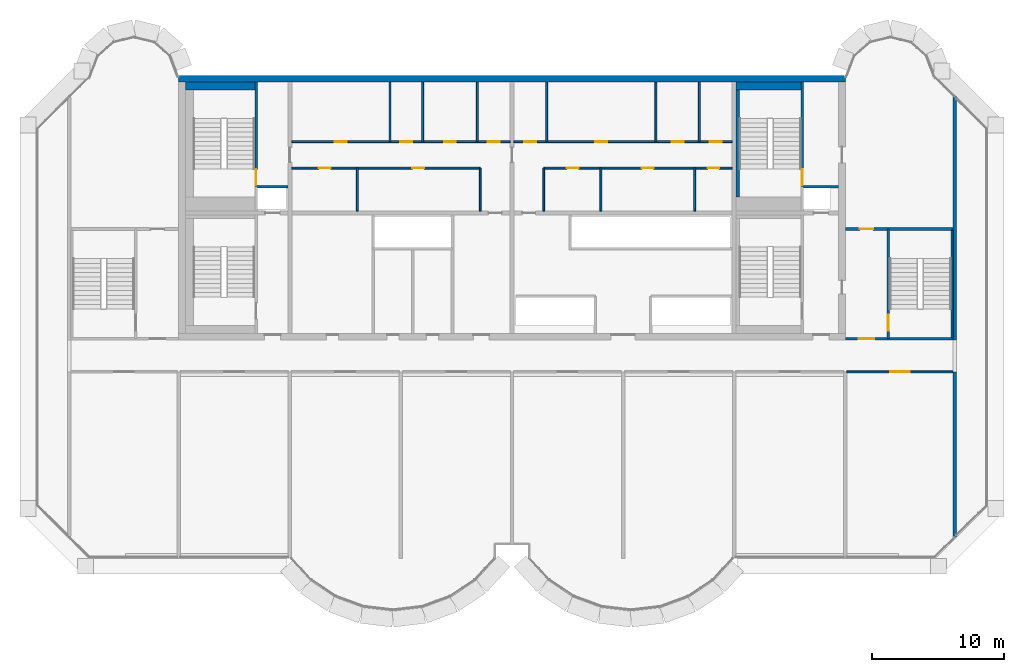
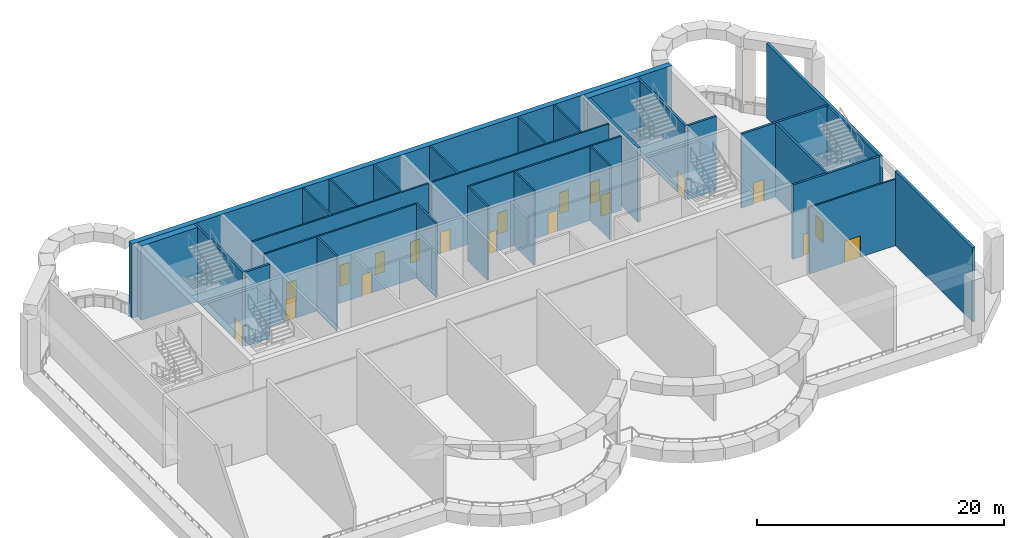
# One storey, part 4 of 11: 30 walls, 19 doors, 19 openings.
"""IFC4 building model written with IfcOpenShell, lengths in metres."""

from ifc_helpers import new_model, si_unit, direction, frame, frame_2d, origin, place, context, subcontext, project, spatial, rectangle, extrude, source, transform, mapped, material, layer, layer_set, type_object, element, fill, save


model = new_model("IFC4")

# Units and contexts
model_context = context("Model", 3, precision=1e-05, world=origin(), true_north=direction((0.0, 1.0)))
body_context = subcontext(model_context, "Body", "Model", "MODEL_VIEW")
ifc_project = project(units=[si_unit("LENGTHUNIT", "METRE"), si_unit("AREAUNIT", "SQUARE_METRE"), si_unit("VOLUMEUNIT", "CUBIC_METRE"), si_unit("PLANEANGLEUNIT", "RADIAN"), si_unit("MASSUNIT", "GRAM", prefix="KILO")], contexts=[model_context])

# Site, building, storey
site_placement = place(None, origin())
site = spatial("IfcSite", under=ifc_project, at=site_placement, CompositionType="ELEMENT")
building_placement = place(site_placement, origin())
building = spatial("IfcBuilding", under=site, at=building_placement, Name="Vanashikhar Sky Hotel", CompositionType="ELEMENT")
storey_placement = place(building_placement, frame((0.0, 0.0, 270.10009765625)))
storey = spatial("IfcBuildingStorey", under=building, at=storey_placement, Name="L65", CompositionType="ELEMENT", Elevation=270.10009765625)

# Walls
ifc_material_1 = material(Name="Concrete M50", Category="concrete")
ifc_layer_1 = layer(ifc_material_1, 0.5)
ifc_layer_set_1 = layer_set([ifc_layer_1], Name="RC core shell wall 500 Concrete M50")
wall_type_1 = type_object("IfcWallType", Name="RC core shell wall 500 Concrete M50", PredefinedType="SHEAR", material=ifc_layer_set_1)
shared_shape_1 = source(origin(), body_context, "Body", "SweptSolid", [
    extrude(rectangle(XDim=50.400146484375, YDim=0.5, at=frame_2d((25.2001953125, 0.0))), origin(), (0.0, 0.0, 1.0), 7.31982421875),
])
wall_1_placement = place(storey_placement, frame((25.199951171875, 41.75, 0.0), z_axis=(0.0, 0.0, 1.0), x_axis=(1.0, 0.0, 0.0)))
element("IfcWall", 1, at=wall_1_placement, inside=storey, type_object=wall_type_1, Name="KW-L65-KN", PredefinedType="SHEAR", context=body_context, shape_type="MappedRepresentation", body=[
    mapped(shared_shape_1, transform((0.0, 0.0, 0.0), scale=1.0)),
])
ifc_layer_2 = layer(ifc_material_1, 0.25)
ifc_layer_set_2 = layer_set([ifc_layer_2], Name="RC shear wall 250 Concrete M50")
wall_type_2 = type_object("IfcWallType", Name="RC shear wall 250 Concrete M50", PredefinedType="SHEAR", material=ifc_layer_set_2)
shared_shape_2 = source(origin(), body_context, "Body", "SweptSolid", [
    extrude(rectangle(XDim=12.5, YDim=0.25, at=frame_2d((6.25, 0.0))), origin(), (0.0, 0.0, 1.0), 7.31982421875),
])
wall_2_placement = place(storey_placement, frame((83.875, 7.10009765625, 0.0), z_axis=(0.0, 0.0, 1.0), x_axis=(0.0, 1.0, 0.0)))
element("IfcWall", 2, at=wall_2_placement, inside=storey, type_object=wall_type_2, Name="CW-L65-XW11-1", PredefinedType="SHEAR", context=body_context, shape_type="MappedRepresentation", body=[
    mapped(shared_shape_2, transform((0.0, 0.0, 0.0), scale=1.0)),
])
shared_shape_3 = source(origin(), body_context, "Body", "SweptSolid", [
    extrude(rectangle(XDim=18.39990234375, YDim=0.25, at=frame_2d((9.199951171875, 0.0))), origin(), (0.0, 0.0, 1.0), 7.31982421875),
])
wall_3_placement = place(storey_placement, frame((83.875, 22.0, 0.0), z_axis=(0.0, 0.0, 1.0), x_axis=(0.0, 1.0, 0.0)))
element("IfcWall", 3, at=wall_3_placement, inside=storey, type_object=wall_type_2, Name="CW-L65-XW11-2", PredefinedType="SHEAR", context=body_context, shape_type="MappedRepresentation", body=[
    mapped(shared_shape_3, transform((0.0, 0.0, 0.0), scale=1.0)),
])
ifc_material_2 = material(Name="Gypsum board partition")
ifc_layer_3 = layer(ifc_material_2, 0.14990234375)
ifc_layer_set_3 = layer_set([ifc_layer_3], Name="Service partition 150")
wall_type_3 = type_object("IfcWallType", Name="Service partition 150", PredefinedType="PARTITIONING", material=ifc_layer_set_3)
shared_shape_4 = source(origin(), body_context, "Body", "SweptSolid", [
    extrude(rectangle(XDim=3.25, YDim=0.14990234375, at=frame_2d((1.625, 0.0))), origin(), (0.0, 0.0, 1.0), 7.31982421875),
])
for number, where, z_axis, x_axis, name in (
    (4, (48.0, 31.75, 0.0), (0.0, 0.0, 1.0), (0.0, 1.0, 0.0), "Service partition 150"),
    (5, (38.7109375, 31.75, 0.0), (0.0, 0.0, 1.0), (0.0, 1.0, 0.0), "Service partition 150"),
    (6, (52.800048828125, 31.75, 0.0), (0.0, 0.0, 1.0), (0.0, 1.0, 0.0), "Service partition 150"),
    (7, (64.215087890625, 31.75, 0.0), (0.0, 0.0, 1.0), (0.0, 1.0, 0.0), "Service partition 150"),
    (8, (57.126953125, 31.75, 0.0), (0.0, 0.0, 1.0), (0.0, 1.0, 0.0), "Service partition 150"),
):
    element("IfcWall", number, at=place(storey_placement, frame(where, z_axis=z_axis, x_axis=x_axis)), inside=storey, type_object=wall_type_3, Name=name, PredefinedType="PARTITIONING", context=body_context, shape_type="MappedRepresentation", body=[
        mapped(shared_shape_4, transform((0.0, 0.0, 0.0), scale=1.0)),
    ])

# Wall, openings, doors
shared_shape_5 = source(origin(), body_context, "Body", "SweptSolid", [
    extrude(rectangle(XDim=14.25, YDim=0.14990234375, at=frame_2d((7.125, 0.0))), origin(), (0.0, 0.0, 1.0), 7.31982421875),
])
wall_4_placement = place(storey_placement, frame((33.75, 35.0, 0.0), z_axis=(0.0, 0.0, 1.0), x_axis=(1.0, 0.0, 0.0)))
wall_4 = element("IfcWall", 9, at=wall_4_placement, inside=storey, type_object=wall_type_3, Name="Service partition 150", PredefinedType="PARTITIONING", context=body_context, shape_type="MappedRepresentation", body=[
    mapped(shared_shape_5, transform((0.0, 0.0, 0.0), scale=1.0)),
])
shared_shape_6 = source(origin(), body_context, "Body", "SweptSolid", [
    extrude(rectangle(XDim=0.89990234375, YDim=2.10009765625, at=frame_2d((0.449951171875, 1.050048828125))), frame((0.0, 0.0849609375, 0.0), z_axis=(0.0, -1.0, 0.0), x_axis=(1.0, 0.0, 0.0)), (0.0, 0.0, 1.0), 0.169921875),
])
opening_1_placement = place(wall_4_placement, frame((2.031005859375, 0.0, 0.0)))
opening_1 = element("IfcOpeningElement", 10, at=opening_1_placement, cuts=wall_4, Name="Opening DC-4-A", PredefinedType="OPENING", context=body_context, shape_type="MappedRepresentation", body=[
    mapped(shared_shape_6, transform((0.0, 0.0, 0.0), scale=1.0)),
])
opening_2_placement = place(wall_4_placement, frame((9.117919921875, 0.0, 0.0)))
opening_2 = element("IfcOpeningElement", 11, at=opening_2_placement, cuts=wall_4, Name="Opening DC-4-A", PredefinedType="OPENING", context=body_context, shape_type="MappedRepresentation", body=[
    mapped(shared_shape_6, transform((0.0, 0.0, 0.0), scale=1.0)),
])
ifc_material_3 = material(Name="Steel", Category="steel")
door_type_1 = type_object("IfcDoorType", Name="Service door 900 FD60", OperationType="NOTDEFINED", PredefinedType="DOOR", material=ifc_material_3)
shared_shape_7 = source(origin(), body_context, "Body", "SweptSolid", [
    extrude(rectangle(XDim=0.89990234375, YDim=2.10009765625, at=frame_2d((0.449951171875, 1.050048828125))), frame((0.0, 0.02490234375, 0.0), z_axis=(0.0, -1.0, 0.0), x_axis=(1.0, 0.0, 0.0)), (0.0, 0.0, 1.0), 0.050048828125),
])
door_1_placement = place(opening_1_placement, origin())
door_1 = element("IfcDoor", 12, at=door_1_placement, inside=storey, type_object=door_type_1, Name="Service door 900 FD60", OperationType="SINGLE_SWING_RIGHT", OverallHeight=2.10009765625, OverallWidth=0.89990234375, PredefinedType="DOOR", context=body_context, shape_type="MappedRepresentation", body=[
    mapped(shared_shape_7, transform((0.0, 0.0, 0.0), scale=1.0)),
])
fill(opening_1, door_1)
door_2_placement = place(opening_2_placement, origin())
door_2 = element("IfcDoor", 13, at=door_2_placement, inside=storey, type_object=door_type_1, Name="Service door 900 FD60", OperationType="SINGLE_SWING_RIGHT", OverallHeight=2.10009765625, OverallWidth=0.89990234375, PredefinedType="DOOR", context=body_context, shape_type="MappedRepresentation", body=[
    mapped(shared_shape_7, transform((0.0, 0.0, 0.0), scale=1.0)),
])
fill(opening_2, door_2)

wall_5_placement = place(storey_placement, frame((67.050048828125, 35.0, 0.0), z_axis=(0.0, 0.0, 1.0), x_axis=(-1.0, 0.0, 0.0)))
wall_5 = element("IfcWall", 14, at=wall_5_placement, inside=storey, type_object=wall_type_3, Name="Service partition 150", PredefinedType="PARTITIONING", context=body_context, shape_type="MappedRepresentation", body=[
    mapped(shared_shape_5, transform((0.0, 0.0, 0.0), scale=1.0)),
])
opening_3_placement = place(wall_5_placement, frame((0.968017578125, 0.0, 0.0)))
opening_3 = element("IfcOpeningElement", 15, at=opening_3_placement, cuts=wall_5, Name="Opening DC-4-A", PredefinedType="OPENING", context=body_context, shape_type="MappedRepresentation", body=[
    mapped(shared_shape_6, transform((0.0, 0.0, 0.0), scale=1.0)),
])
opening_4_placement = place(wall_5_placement, frame((5.928955078125, 0.0, 0.0)))
opening_4 = element("IfcOpeningElement", 16, at=opening_4_placement, cuts=wall_5, Name="Opening DC-4-A", PredefinedType="OPENING", context=body_context, shape_type="MappedRepresentation", body=[
    mapped(shared_shape_6, transform((0.0, 0.0, 0.0), scale=1.0)),
])
opening_5_placement = place(wall_5_placement, frame((11.59912109375, 0.0, 0.0)))
opening_5 = element("IfcOpeningElement", 17, at=opening_5_placement, cuts=wall_5, Name="Opening DC-4-A", PredefinedType="OPENING", context=body_context, shape_type="MappedRepresentation", body=[
    mapped(shared_shape_6, transform((0.0, 0.0, 0.0), scale=1.0)),
])
door_3_placement = place(opening_3_placement, origin())
door_3 = element("IfcDoor", 18, at=door_3_placement, inside=storey, type_object=door_type_1, Name="Service door 900 FD60", OperationType="SINGLE_SWING_RIGHT", OverallHeight=2.10009765625, OverallWidth=0.89990234375, PredefinedType="DOOR", context=body_context, shape_type="MappedRepresentation", body=[
    mapped(shared_shape_7, transform((0.0, 0.0, 0.0), scale=1.0)),
])
fill(opening_3, door_3)
door_4_placement = place(opening_4_placement, origin())
door_4 = element("IfcDoor", 19, at=door_4_placement, inside=storey, type_object=door_type_1, Name="Service door 900 FD60", OperationType="SINGLE_SWING_RIGHT", OverallHeight=2.10009765625, OverallWidth=0.89990234375, PredefinedType="DOOR", context=body_context, shape_type="MappedRepresentation", body=[
    mapped(shared_shape_7, transform((0.0, 0.0, 0.0), scale=1.0)),
])
fill(opening_4, door_4)
door_5_placement = place(opening_5_placement, origin())
door_5 = element("IfcDoor", 20, at=door_5_placement, inside=storey, type_object=door_type_1, Name="Service door 900 FD60", OperationType="SINGLE_SWING_RIGHT", OverallHeight=2.10009765625, OverallWidth=0.89990234375, PredefinedType="DOOR", context=body_context, shape_type="MappedRepresentation", body=[
    mapped(shared_shape_7, transform((0.0, 0.0, 0.0), scale=1.0)),
])
fill(opening_5, door_5)

shared_shape_8 = source(origin(), body_context, "Body", "SweptSolid", [
    extrude(rectangle(XDim=16.5, YDim=0.14990234375, at=frame_2d((8.25, 0.0))), origin(), (0.0, 0.0, 1.0), 7.31982421875),
])
wall_6_placement = place(storey_placement, frame((33.75, 37.0, 0.0), z_axis=(0.0, 0.0, 1.0), x_axis=(1.0, 0.0, 0.0)))
wall_6 = element("IfcWall", 21, at=wall_6_placement, inside=storey, type_object=wall_type_3, Name="Service partition 150", PredefinedType="PARTITIONING", context=body_context, shape_type="MappedRepresentation", body=[
    mapped(shared_shape_8, transform((0.0, 0.0, 0.0), scale=1.0)),
])
opening_6_placement = place(wall_6_placement, frame((3.261962890625, 0.0, 0.0)))
opening_6 = element("IfcOpeningElement", 22, at=opening_6_placement, cuts=wall_6, Name="Opening DC-4-A", PredefinedType="OPENING", context=body_context, shape_type="MappedRepresentation", body=[
    mapped(shared_shape_6, transform((0.0, 0.0, 0.0), scale=1.0)),
])
opening_7_placement = place(wall_6_placement, frame((8.2119140625, 0.0, 0.0)))
opening_7 = element("IfcOpeningElement", 23, at=opening_7_placement, cuts=wall_6, Name="Opening DC-4-A", PredefinedType="OPENING", context=body_context, shape_type="MappedRepresentation", body=[
    mapped(shared_shape_6, transform((0.0, 0.0, 0.0), scale=1.0)),
])
opening_8_placement = place(wall_6_placement, frame((11.511962890625, 0.0, 0.0)))
opening_8 = element("IfcOpeningElement", 24, at=opening_8_placement, cuts=wall_6, Name="Opening DC-4-A", PredefinedType="OPENING", context=body_context, shape_type="MappedRepresentation", body=[
    mapped(shared_shape_6, transform((0.0, 0.0, 0.0), scale=1.0)),
])
opening_9_placement = place(wall_6_placement, frame((14.81298828125, 0.0, 0.0)))
opening_9 = element("IfcOpeningElement", 25, at=opening_9_placement, cuts=wall_6, Name="Opening DC-4-A", PredefinedType="OPENING", context=body_context, shape_type="MappedRepresentation", body=[
    mapped(shared_shape_6, transform((0.0, 0.0, 0.0), scale=1.0)),
])
door_6_placement = place(opening_6_placement, origin())
door_6 = element("IfcDoor", 26, at=door_6_placement, inside=storey, type_object=door_type_1, Name="Service door 900 FD60", OperationType="SINGLE_SWING_LEFT", OverallHeight=2.10009765625, OverallWidth=0.89990234375, PredefinedType="DOOR", context=body_context, shape_type="MappedRepresentation", body=[
    mapped(shared_shape_7, transform((0.0, 0.0, 0.0), scale=1.0)),
])
fill(opening_6, door_6)
door_7_placement = place(opening_7_placement, origin())
door_7 = element("IfcDoor", 27, at=door_7_placement, inside=storey, type_object=door_type_1, Name="Service door 900 FD60", OperationType="SINGLE_SWING_LEFT", OverallHeight=2.10009765625, OverallWidth=0.89990234375, PredefinedType="DOOR", context=body_context, shape_type="MappedRepresentation", body=[
    mapped(shared_shape_7, transform((0.0, 0.0, 0.0), scale=1.0)),
])
fill(opening_7, door_7)
door_8_placement = place(opening_8_placement, origin())
door_8 = element("IfcDoor", 28, at=door_8_placement, inside=storey, type_object=door_type_1, Name="Service door 900 FD60", OperationType="SINGLE_SWING_LEFT", OverallHeight=2.10009765625, OverallWidth=0.89990234375, PredefinedType="DOOR", context=body_context, shape_type="MappedRepresentation", body=[
    mapped(shared_shape_7, transform((0.0, 0.0, 0.0), scale=1.0)),
])
fill(opening_8, door_8)
door_9_placement = place(opening_9_placement, origin())
door_9 = element("IfcDoor", 29, at=door_9_placement, inside=storey, type_object=door_type_1, Name="Service door 900 FD60", OperationType="SINGLE_SWING_LEFT", OverallHeight=2.10009765625, OverallWidth=0.89990234375, PredefinedType="DOOR", context=body_context, shape_type="MappedRepresentation", body=[
    mapped(shared_shape_7, transform((0.0, 0.0, 0.0), scale=1.0)),
])
fill(opening_9, door_9)

wall_7_placement = place(storey_placement, frame((67.050048828125, 37.0, 0.0), z_axis=(0.0, 0.0, 1.0), x_axis=(-1.0, 0.0, 0.0)))
wall_7 = element("IfcWall", 30, at=wall_7_placement, inside=storey, type_object=wall_type_3, Name="Service partition 150", PredefinedType="PARTITIONING", context=body_context, shape_type="MappedRepresentation", body=[
    mapped(shared_shape_8, transform((0.0, 0.0, 0.0), scale=1.0)),
])
opening_10_placement = place(wall_7_placement, frame((0.7880859375, 0.0, 0.0)))
opening_10 = element("IfcOpeningElement", 31, at=opening_10_placement, cuts=wall_7, Name="Opening DC-4-A", PredefinedType="OPENING", context=body_context, shape_type="MappedRepresentation", body=[
    mapped(shared_shape_6, transform((0.0, 0.0, 0.0), scale=1.0)),
])
opening_11_placement = place(wall_7_placement, frame((3.675048828125, 0.0, 0.0)))
opening_11 = element("IfcOpeningElement", 32, at=opening_11_placement, cuts=wall_7, Name="Opening DC-4-A", PredefinedType="OPENING", context=body_context, shape_type="MappedRepresentation", body=[
    mapped(shared_shape_6, transform((0.0, 0.0, 0.0), scale=1.0)),
])
opening_12_placement = place(wall_7_placement, frame((9.449951171875, 0.0, 0.0)))
opening_12 = element("IfcOpeningElement", 33, at=opening_12_placement, cuts=wall_7, Name="Opening DC-4-A", PredefinedType="OPENING", context=body_context, shape_type="MappedRepresentation", body=[
    mapped(shared_shape_6, transform((0.0, 0.0, 0.0), scale=1.0)),
])
opening_13_placement = place(wall_7_placement, frame((14.81298828125, 0.0, 0.0)))
opening_13 = element("IfcOpeningElement", 34, at=opening_13_placement, cuts=wall_7, Name="Opening DC-4-A", PredefinedType="OPENING", context=body_context, shape_type="MappedRepresentation", body=[
    mapped(shared_shape_6, transform((0.0, 0.0, 0.0), scale=1.0)),
])
door_10_placement = place(opening_10_placement, origin())
door_10 = element("IfcDoor", 35, at=door_10_placement, inside=storey, type_object=door_type_1, Name="Service door 900 FD60", OperationType="SINGLE_SWING_LEFT", OverallHeight=2.10009765625, OverallWidth=0.89990234375, PredefinedType="DOOR", context=body_context, shape_type="MappedRepresentation", body=[
    mapped(shared_shape_7, transform((0.0, 0.0, 0.0), scale=1.0)),
])
fill(opening_10, door_10)
door_11_placement = place(opening_11_placement, origin())
door_11 = element("IfcDoor", 36, at=door_11_placement, inside=storey, type_object=door_type_1, Name="Service door 900 FD60", OperationType="SINGLE_SWING_LEFT", OverallHeight=2.10009765625, OverallWidth=0.89990234375, PredefinedType="DOOR", context=body_context, shape_type="MappedRepresentation", body=[
    mapped(shared_shape_7, transform((0.0, 0.0, 0.0), scale=1.0)),
])
fill(opening_11, door_11)
door_12_placement = place(opening_12_placement, origin())
door_12 = element("IfcDoor", 37, at=door_12_placement, inside=storey, type_object=door_type_1, Name="Service door 900 FD60", OperationType="SINGLE_SWING_LEFT", OverallHeight=2.10009765625, OverallWidth=0.89990234375, PredefinedType="DOOR", context=body_context, shape_type="MappedRepresentation", body=[
    mapped(shared_shape_7, transform((0.0, 0.0, 0.0), scale=1.0)),
])
fill(opening_12, door_12)
door_13_placement = place(opening_13_placement, origin())
door_13 = element("IfcDoor", 38, at=door_13_placement, inside=storey, type_object=door_type_1, Name="Service door 900 FD60", OperationType="SINGLE_SWING_RIGHT", OverallHeight=2.10009765625, OverallWidth=0.89990234375, PredefinedType="DOOR", context=body_context, shape_type="MappedRepresentation", body=[
    mapped(shared_shape_7, transform((0.0, 0.0, 0.0), scale=1.0)),
])
fill(opening_13, door_13)

# Walls
shared_shape_9 = source(origin(), body_context, "Body", "SweptSolid", [
    extrude(rectangle(XDim=4.5, YDim=0.14990234375, at=frame_2d((2.25, 0.0))), origin(), (0.0, 0.0, 1.0), 7.31982421875),
])
for number, where, z_axis, x_axis, name in (
    (39, (41.175048828125, 37.0, 0.0), (0.0, 0.0, 1.0), (0.0, 1.0, 0.0), "Service partition 150"),
    (40, (43.64990234375, 37.0, 0.0), (0.0, 0.0, 1.0), (0.0, 1.0, 0.0), "Service partition 150"),
    (41, (47.77490234375, 37.0, 0.0), (0.0, 0.0, 1.0), (0.0, 1.0, 0.0), "Service partition 150"),
    (42, (64.574951171875, 37.0, 0.0), (0.0, 0.0, 1.0), (0.0, 1.0, 0.0), "Service partition 150"),
    (43, (61.27490234375, 37.0, 0.0), (0.0, 0.0, 1.0), (0.0, 1.0, 0.0), "Service partition 150"),
    (44, (53.02490234375, 37.0, 0.0), (0.0, 0.0, 1.0), (0.0, 1.0, 0.0), "Service partition 150"),
):
    element("IfcWall", number, at=place(storey_placement, frame(where, z_axis=z_axis, x_axis=x_axis)), inside=storey, type_object=wall_type_3, Name=name, PredefinedType="PARTITIONING", context=body_context, shape_type="MappedRepresentation", body=[
        mapped(shared_shape_9, transform((0.0, 0.0, 0.0), scale=1.0)),
    ])
ifc_material_4 = material(Name="Concrete M40", Category="concrete")
ifc_layer_4 = layer(ifc_material_4, 0.199951171875)
ifc_layer_set_4 = layer_set([ifc_layer_4], Name="Shaft wall 200")
wall_type_4 = type_object("IfcWallType", Name="Shaft wall 200", PredefinedType="SOLIDWALL", material=ifc_layer_set_4)
shared_shape_10 = source(origin(), body_context, "Body", "SweptSolid", [
    extrude(rectangle(XDim=2.300048828125, YDim=0.199951171875, at=frame_2d((1.14990234375, 0.0))), origin(), (0.0, 0.0, 1.0), 7.31982421875),
])
wall_8_placement = place(storey_placement, frame((31.14990234375, 33.60009765625, 0.0), z_axis=(0.0, 0.0, 1.0), x_axis=(1.0, 0.0, 0.0)))
element("IfcWall", 45, at=wall_8_placement, inside=storey, type_object=wall_type_4, Name="Shaft wall 200", PredefinedType="SOLIDWALL", context=body_context, shape_type="MappedRepresentation", body=[
    mapped(shared_shape_10, transform((0.0, 0.0, 0.0), scale=1.0)),
])

# Wall, opening, door
ifc_layer_5 = layer(ifc_material_1, 0.199951171875)
ifc_layer_set_5 = layer_set([ifc_layer_5], Name="Stair wall 200")
wall_type_5 = type_object("IfcWallType", Name="Stair wall 200", PredefinedType="SOLIDWALL", material=ifc_layer_set_5)
shared_shape_11 = source(origin(), body_context, "Body", "SweptSolid", [
    extrude(rectangle(XDim=7.89990234375, YDim=0.199951171875, at=frame_2d((3.949951171875, 0.0))), origin(), (0.0, 0.0, 1.0), 7.31982421875),
])
wall_9_placement = place(storey_placement, frame((31.050048828125, 33.60009765625, 0.0), z_axis=(0.0, 0.0, 1.0), x_axis=(0.0, 1.0, 0.0)))
wall_9 = element("IfcWall", 46, at=wall_9_placement, inside=storey, type_object=wall_type_5, Name="Stair wall 200", PredefinedType="SOLIDWALL", context=body_context, shape_type="MappedRepresentation", body=[
    mapped(shared_shape_11, transform((0.0, 0.0, 0.0), scale=1.0)),
])
shared_shape_12 = source(origin(), body_context, "Body", "SweptSolid", [
    extrude(rectangle(XDim=1.199951171875, YDim=2.10009765625, at=frame_2d((0.60009765625, 1.050048828125))), frame((0.0, 0.10986328125, 0.0), z_axis=(0.0, -1.0, 0.0), x_axis=(1.0, 0.0, 0.0)), (0.0, 0.0, 1.0), 0.219970703125),
])
opening_14_placement = place(wall_9_placement, frame((0.10009765625, 0.0, 0.0)))
opening_14 = element("IfcOpeningElement", 47, at=opening_14_placement, cuts=wall_9, Name="Opening DC-1", PredefinedType="OPENING", context=body_context, shape_type="MappedRepresentation", body=[
    mapped(shared_shape_12, transform((0.0, 0.0, 0.0), scale=1.0)),
])
door_type_2 = type_object("IfcDoorType", Name="Stair door 1200 FD120", OperationType="NOTDEFINED", PredefinedType="DOOR", material=ifc_material_3)
shared_shape_13 = source(origin(), body_context, "Body", "SweptSolid", [
    extrude(rectangle(XDim=1.199951171875, YDim=2.10009765625, at=frame_2d((0.60009765625, 1.050048828125))), frame((0.0, 0.02490234375, 0.0), z_axis=(0.0, -1.0, 0.0), x_axis=(1.0, 0.0, 0.0)), (0.0, 0.0, 1.0), 0.050048828125),
])
door_14_placement = place(opening_14_placement, origin())
door_14 = element("IfcDoor", 48, at=door_14_placement, inside=storey, type_object=door_type_2, Name="Stair door 1200 FD120", OperationType="SINGLE_SWING_LEFT", OverallHeight=2.10009765625, OverallWidth=1.199951171875, PredefinedType="DOOR", context=body_context, shape_type="MappedRepresentation", body=[
    mapped(shared_shape_13, transform((0.0, 0.0, 0.0), scale=1.0)),
])
fill(opening_14, door_14)

wall_10_placement = place(storey_placement, frame((72.35009765625, 33.60009765625, 0.0), z_axis=(0.0, 0.0, 1.0), x_axis=(0.0, 1.0, 0.0)))
wall_10 = element("IfcWall", 49, at=wall_10_placement, inside=storey, type_object=wall_type_5, Name="Stair wall 200", PredefinedType="SOLIDWALL", context=body_context, shape_type="MappedRepresentation", body=[
    mapped(shared_shape_11, transform((0.0, 0.0, 0.0), scale=1.0)),
])
opening_15_placement = place(wall_10_placement, frame((0.10009765625, 0.0, 0.0)))
opening_15 = element("IfcOpeningElement", 50, at=opening_15_placement, cuts=wall_10, Name="Opening DC-1", PredefinedType="OPENING", context=body_context, shape_type="MappedRepresentation", body=[
    mapped(shared_shape_12, transform((0.0, 0.0, 0.0), scale=1.0)),
])
door_15_placement = place(opening_15_placement, origin())
door_15 = element("IfcDoor", 51, at=door_15_placement, inside=storey, type_object=door_type_2, Name="Stair door 1200 FD120", OperationType="SINGLE_SWING_RIGHT", OverallHeight=2.10009765625, OverallWidth=1.199951171875, PredefinedType="DOOR", context=body_context, shape_type="MappedRepresentation", body=[
    mapped(shared_shape_13, transform((0.0, 0.0, 0.0), scale=1.0)),
])
fill(opening_15, door_15)

# Wall
shared_shape_14 = source(origin(), body_context, "Body", "SweptSolid", [
    extrude(rectangle(XDim=2.650146484375, YDim=0.199951171875, at=frame_2d((1.3251953125, 0.0))), origin(), (0.0, 0.0, 1.0), 7.31982421875),
])
wall_11_placement = place(storey_placement, frame((72.449951171875, 33.60009765625, 0.0), z_axis=(0.0, 0.0, 1.0), x_axis=(1.0, 0.0, 0.0)))
element("IfcWall", 52, at=wall_11_placement, inside=storey, type_object=wall_type_4, Name="Shaft wall 200", PredefinedType="SOLIDWALL", context=body_context, shape_type="MappedRepresentation", body=[
    mapped(shared_shape_14, transform((0.0, 0.0, 0.0), scale=1.0)),
])

# Wall, opening, door
shared_shape_15 = source(origin(), body_context, "Body", "SweptSolid", [
    extrude(rectangle(XDim=8.2998046875, YDim=0.199951171875, at=frame_2d((4.14990234375, 0.0))), origin(), (0.0, 0.0, 1.0), 7.31982421875),
])
wall_12_placement = place(storey_placement, frame((78.85009765625, 22.10009765625, 0.0), z_axis=(0.0, 0.0, 1.0), x_axis=(0.0, 1.0, 0.0)))
wall_12 = element("IfcWall", 53, at=wall_12_placement, inside=storey, type_object=wall_type_5, Name="Stair wall 200", PredefinedType="SOLIDWALL", context=body_context, shape_type="MappedRepresentation", body=[
    mapped(shared_shape_15, transform((0.0, 0.0, 0.0), scale=1.0)),
])
opening_16_placement = place(wall_12_placement, frame((0.60009765625, 0.0, 0.0)))
opening_16 = element("IfcOpeningElement", 54, at=opening_16_placement, cuts=wall_12, Name="Opening DC-1", PredefinedType="OPENING", context=body_context, shape_type="MappedRepresentation", body=[
    mapped(shared_shape_12, transform((0.0, 0.0, 0.0), scale=1.0)),
])
door_16_placement = place(opening_16_placement, origin())
door_16 = element("IfcDoor", 55, at=door_16_placement, inside=storey, type_object=door_type_2, Name="Stair door 1200 FD120", OperationType="SINGLE_SWING_LEFT", OverallHeight=2.10009765625, OverallWidth=1.199951171875, PredefinedType="DOOR", context=body_context, shape_type="MappedRepresentation", body=[
    mapped(shared_shape_13, transform((0.0, 0.0, 0.0), scale=1.0)),
])
fill(opening_16, door_16)

shared_shape_16 = source(origin(), body_context, "Body", "SweptSolid", [
    extrude(rectangle(XDim=8.14990234375, YDim=0.199951171875, at=frame_2d((4.074951171875, 0.0))), origin(), (0.0, 0.0, 1.0), 7.31982421875),
])
wall_13_placement = place(storey_placement, frame((83.75, 22.10009765625, 0.0), z_axis=(0.0, 0.0, 1.0), x_axis=(-1.0, 0.0, 0.0)))
wall_13 = element("IfcWall", 56, at=wall_13_placement, inside=storey, type_object=wall_type_5, Name="Stair wall 200", PredefinedType="SOLIDWALL", context=body_context, shape_type="MappedRepresentation", body=[
    mapped(shared_shape_16, transform((0.0, 0.0, 0.0), scale=1.0)),
])
opening_17_placement = place(wall_13_placement, frame((5.949951171875, 0.0, 0.0)))
opening_17 = element("IfcOpeningElement", 57, at=opening_17_placement, cuts=wall_13, Name="Opening DC-2", PredefinedType="OPENING", context=body_context, shape_type="MappedRepresentation", body=[
    mapped(shared_shape_12, transform((0.0, 0.0, 0.0), scale=1.0)),
])
door_type_3 = type_object("IfcDoorType", Name="Firefighting lobby door 1200 FD120", OperationType="NOTDEFINED", PredefinedType="DOOR", material=ifc_material_3)
door_17_placement = place(opening_17_placement, origin())
door_17 = element("IfcDoor", 58, at=door_17_placement, inside=storey, type_object=door_type_3, Name="Firefighting lobby door 1200 FD120", OperationType="SINGLE_SWING_RIGHT", OverallHeight=2.10009765625, OverallWidth=1.199951171875, PredefinedType="DOOR", context=body_context, shape_type="MappedRepresentation", body=[
    mapped(shared_shape_13, transform((0.0, 0.0, 0.0), scale=1.0)),
])
fill(opening_17, door_17)

wall_14_placement = place(storey_placement, frame((83.75, 30.39990234375, 0.0), z_axis=(0.0, 0.0, 1.0), x_axis=(-1.0, 0.0, 0.0)))
wall_14 = element("IfcWall", 59, at=wall_14_placement, inside=storey, type_object=wall_type_5, Name="Stair wall 200", PredefinedType="SOLIDWALL", context=body_context, shape_type="MappedRepresentation", body=[
    mapped(shared_shape_16, transform((0.0, 0.0, 0.0), scale=1.0)),
])
shared_shape_17 = source(origin(), body_context, "Body", "SweptSolid", [
    extrude(rectangle(XDim=1.0, YDim=2.10009765625, at=frame_2d((0.5, 1.050048828125))), frame((0.0, 0.10986328125, 0.0), z_axis=(0.0, -1.0, 0.0), x_axis=(1.0, 0.0, 0.0)), (0.0, 0.0, 1.0), 0.219970703125),
])
opening_18_placement = place(wall_14_placement, frame((6.050048828125, 0.0, 0.0)))
opening_18 = element("IfcOpeningElement", 60, at=opening_18_placement, cuts=wall_14, Name="Opening DC-6", PredefinedType="OPENING", context=body_context, shape_type="MappedRepresentation", body=[
    mapped(shared_shape_17, transform((0.0, 0.0, 0.0), scale=1.0)),
])
door_type_4 = type_object("IfcDoorType", Name="Pocket door 1000 FD60", OperationType="NOTDEFINED", PredefinedType="DOOR", material=ifc_material_3)
shared_shape_18 = source(origin(), body_context, "Body", "SweptSolid", [
    extrude(rectangle(XDim=1.0, YDim=2.10009765625, at=frame_2d((0.5, 1.050048828125))), frame((0.0, 0.02490234375, 0.0), z_axis=(0.0, -1.0, 0.0), x_axis=(1.0, 0.0, 0.0)), (0.0, 0.0, 1.0), 0.050048828125),
])
door_18_placement = place(opening_18_placement, origin())
door_18 = element("IfcDoor", 61, at=door_18_placement, inside=storey, type_object=door_type_4, Name="Pocket door 1000 FD60", OperationType="SINGLE_SWING_RIGHT", OverallHeight=2.10009765625, OverallWidth=1.0, PredefinedType="DOOR", context=body_context, shape_type="MappedRepresentation", body=[
    mapped(shared_shape_18, transform((0.0, 0.0, 0.0), scale=1.0)),
])
fill(opening_18, door_18)

# Walls
ifc_layer_6 = layer(ifc_material_1, 0.60009765625)
ifc_layer_set_6 = layer_set([ifc_layer_6], Name="Stair infill wall 600")
wall_type_6 = type_object("IfcWallType", Name="Stair infill wall 600", PredefinedType="SOLIDWALL", material=ifc_layer_set_6)
shared_shape_19 = source(origin(), body_context, "Body", "SweptSolid", [
    extrude(rectangle(XDim=5.25, YDim=0.60009765625, at=frame_2d((2.625, 0.0))), origin(), (0.0, 0.0, 1.0), 7.31982421875),
])
wall_15_placement = place(storey_placement, frame((25.699951171875, 41.199951171875, 0.0), z_axis=(0.0, 0.0, 1.0), x_axis=(1.0, 0.0, 0.0)))
element("IfcWall", 62, at=wall_15_placement, inside=storey, type_object=wall_type_6, Name="Stair infill wall 600", PredefinedType="SOLIDWALL", context=body_context, shape_type="MappedRepresentation", body=[
    mapped(shared_shape_19, transform((0.0, 0.0, 0.0), scale=1.0)),
])
shared_shape_20 = source(origin(), body_context, "Body", "SweptSolid", [
    extrude(rectangle(XDim=4.89990234375, YDim=0.60009765625, at=frame_2d((2.449951171875, 0.0))), origin(), (0.0, 0.0, 1.0), 7.31982421875),
])
wall_16_placement = place(storey_placement, frame((67.35009765625, 41.199951171875, 0.0), z_axis=(0.0, 0.0, 1.0), x_axis=(1.0, 0.0, 0.0)))
element("IfcWall", 63, at=wall_16_placement, inside=storey, type_object=wall_type_6, Name="Stair infill wall 600", PredefinedType="SOLIDWALL", context=body_context, shape_type="MappedRepresentation", body=[
    mapped(shared_shape_20, transform((0.0, 0.0, 0.0), scale=1.0)),
])
ifc_layer_7 = layer(ifc_material_1, 0.25)
ifc_layer_set_7 = layer_set([ifc_layer_7], Name="Stair infill wall 250")
wall_type_7 = type_object("IfcWallType", Name="Stair infill wall 250", PredefinedType="SOLIDWALL", material=ifc_layer_set_7)
shared_shape_21 = source(origin(), body_context, "Body", "SweptSolid", [
    extrude(rectangle(XDim=8.099853515625, YDim=0.25, at=frame_2d((4.0498046875, 0.0))), origin(), (0.0, 0.0, 1.0), 7.31982421875),
])
wall_17_placement = place(storey_placement, frame((67.47509765625, 32.800048828125, 0.0), z_axis=(0.0, 0.0, 1.0), x_axis=(0.0, 1.0, 0.0)))
element("IfcWall", 64, at=wall_17_placement, inside=storey, type_object=wall_type_7, Name="Stair infill wall 250", PredefinedType="SOLIDWALL", context=body_context, shape_type="MappedRepresentation", body=[
    mapped(shared_shape_21, transform((0.0, 0.0, 0.0), scale=1.0)),
])
ifc_layer_8 = layer(ifc_material_1, 0.14990234375)
ifc_layer_set_8 = layer_set([ifc_layer_8], Name="Stair infill wall 150")
wall_type_8 = type_object("IfcWallType", Name="Stair infill wall 150", PredefinedType="SOLIDWALL", material=ifc_layer_set_8)
shared_shape_22 = source(origin(), body_context, "Body", "SweptSolid", [
    extrude(rectangle(XDim=8.10009765625, YDim=0.14990234375, at=frame_2d((4.050048828125, 0.0))), origin(), (0.0, 0.0, 1.0), 7.31982421875),
])
wall_18_placement = place(storey_placement, frame((83.675048828125, 22.199951171875, 0.0), z_axis=(0.0, 0.0, 1.0), x_axis=(0.0, 1.0, 0.0)))
element("IfcWall", 65, at=wall_18_placement, inside=storey, type_object=wall_type_8, Name="Stair infill wall 150", PredefinedType="SOLIDWALL", context=body_context, shape_type="MappedRepresentation", body=[
    mapped(shared_shape_22, transform((0.0, 0.0, 0.0), scale=1.0)),
])

# Wall, opening, door
shared_shape_23 = source(origin(), body_context, "Body", "SweptSolid", [
    extrude(rectangle(XDim=8.02490234375, YDim=0.14990234375, at=frame_2d((4.012451171875, 0.0))), origin(), (0.0, 0.0, 1.0), 6.56982421875),
])
wall_19_placement = place(storey_placement, frame((75.72509765625, 19.60009765625, 0.0), z_axis=(0.0, 0.0, 1.0), x_axis=(1.0, 0.0, 0.0)))
wall_19 = element("IfcWall", 66, at=wall_19_placement, inside=storey, type_object=wall_type_3, Name="Service partition 150", PredefinedType="PARTITIONING", context=body_context, shape_type="MappedRepresentation", body=[
    mapped(shared_shape_23, transform((0.0, 0.0, 0.0), scale=1.0)),
])
shared_shape_24 = source(origin(), body_context, "Body", "SweptSolid", [
    extrude(rectangle(XDim=1.5, YDim=2.10009765625, at=frame_2d((0.75, 1.050048828125))), frame((0.0, 0.0849609375, 0.0), z_axis=(0.0, -1.0, 0.0), x_axis=(1.0, 0.0, 0.0)), (0.0, 0.0, 1.0), 0.169921875),
])
opening_19_placement = place(wall_19_placement, frame((3.261962890625, 0.0, 0.0)))
opening_19 = element("IfcOpeningElement", 67, at=opening_19_placement, cuts=wall_19, Name="Opening DC-4-E", PredefinedType="OPENING", context=body_context, shape_type="MappedRepresentation", body=[
    mapped(shared_shape_24, transform((0.0, 0.0, 0.0), scale=1.0)),
])
door_type_5 = type_object("IfcDoorType", Name="Service door 1500 FD60", OperationType="NOTDEFINED", PredefinedType="DOOR", material=ifc_material_3)
shared_shape_25 = source(origin(), body_context, "Body", "SweptSolid", [
    extrude(rectangle(XDim=1.5, YDim=2.10009765625, at=frame_2d((0.75, 1.050048828125))), frame((0.0, 0.02490234375, 0.0), z_axis=(0.0, -1.0, 0.0), x_axis=(1.0, 0.0, 0.0)), (0.0, 0.0, 1.0), 0.050048828125),
])
door_19_placement = place(opening_19_placement, origin())
door_19 = element("IfcDoor", 68, at=door_19_placement, inside=storey, type_object=door_type_5, Name="Service door 1500 FD60", OperationType="SINGLE_SWING_LEFT", OverallHeight=2.10009765625, OverallWidth=1.5, PredefinedType="DOOR", context=body_context, shape_type="MappedRepresentation", body=[
    mapped(shared_shape_25, transform((0.0, 0.0, 0.0), scale=1.0)),
])
fill(opening_19, door_19)

save(model, "model.ifc")
